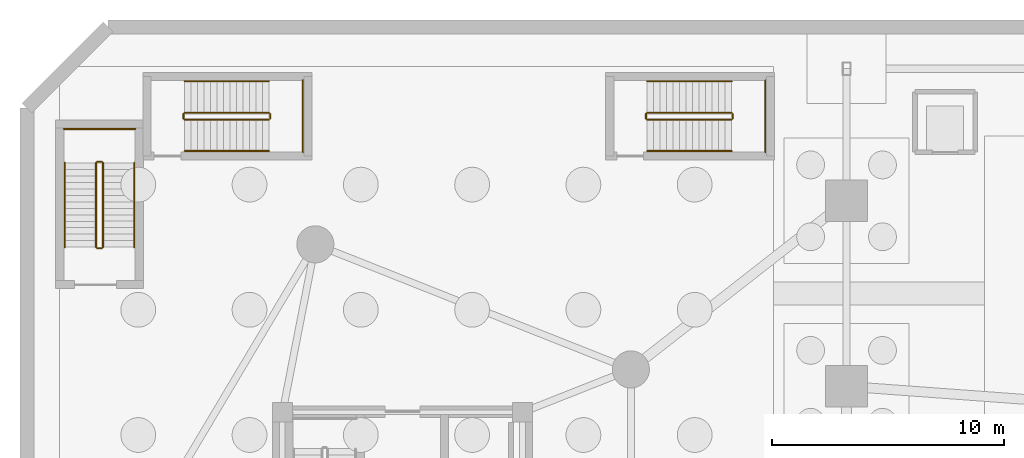
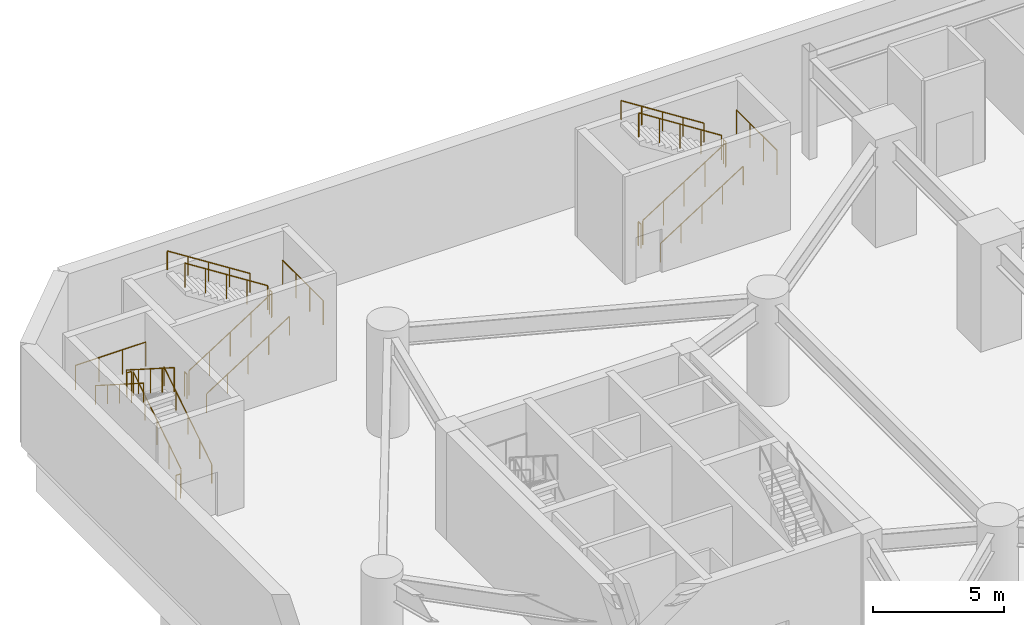
# One storey, part 13 of 15: 21 railings.
"""IFC4 building model written with IfcOpenShell, lengths in metres."""

from ifc_helpers import new_model, si_unit, direction, frame, origin, origin_2d, place, context, subcontext, project, spatial, circle, extrude, material, type_object, element, save


model = new_model("IFC4")

# Units and contexts
model_context = context("Model", 3, precision=1e-05, world=origin(), true_north=direction((0.0, 1.0)))
body_context = subcontext(model_context, "Body", "Model", "MODEL_VIEW")
ifc_project = project(units=[si_unit("LENGTHUNIT", "METRE"), si_unit("AREAUNIT", "SQUARE_METRE"), si_unit("VOLUMEUNIT", "CUBIC_METRE"), si_unit("PLANEANGLEUNIT", "RADIAN"), si_unit("MASSUNIT", "GRAM", prefix="KILO")], contexts=[model_context])

# Site, building, storey
site_placement = place(None, origin())
site = spatial("IfcSite", under=ifc_project, at=site_placement, CompositionType="ELEMENT")
building_placement = place(site_placement, origin())
building = spatial("IfcBuilding", under=site, at=building_placement, Name="Cununo Teusaquillo Station Towers", CompositionType="ELEMENT")
storey_placement = place(building_placement, frame((0.0, 0.0, -10.0)))
storey = spatial("IfcBuildingStorey", under=building, at=storey_placement, Name="B02", CompositionType="ELEMENT", Elevation=-10.0)

# Railings
ifc_material_1 = material(Name="Steel EN 10025-2 S355J2", Category="steel")
railing_type_1 = type_object("IfcRailingType", Name="RL-INT-GUARD", PredefinedType="GUARDRAIL", material=ifc_material_1)
railing_1_placement = place(storey_placement, frame((27.050048828125, 44.0, 0.178466796875)))
element("IfcRailing", 1, at=railing_1_placement, inside=storey, type_object=railing_type_1, Name="B02 ST-POD-N stair guard 1", PredefinedType="GUARDRAIL", context=body_context, shape_type="SweptSolid", body=[
    extrude(circle(Radius=0.02392578125, at=origin_2d()), frame((0.0, 0.0, 1.1259765625), z_axis=(0.843111507901, 0.0, 0.53773877045), x_axis=(0.0, 1.0, 0.0)), (0.0, 0.0, 1.0), 4.317138671875),
    extrude(circle(Radius=0.02099609375, at=origin_2d()), origin(), (0.0, 0.0, 1.0), 1.101806640625),
    extrude(circle(Radius=0.02099609375, at=origin_2d()), frame((0.909912109375, 0.0, 0.580322265625)), (0.0, 0.0, 1.0), 1.101806640625),
    extrude(circle(Radius=0.02099609375, at=origin_2d()), frame((1.81982421875, 0.0, 1.16064453125)), (0.0, 0.0, 1.0), 1.101806640625),
    extrude(circle(Radius=0.02099609375, at=origin_2d()), frame((2.72998046875, 0.0, 1.7412109375)), (0.0, 0.0, 1.0), 1.101806640625),
    extrude(circle(Radius=0.02099609375, at=origin_2d()), frame((3.639892578125, 0.0, 2.321533203125)), (0.0, 0.0, 1.0), 1.101806640625),
])
railing_2_placement = place(storey_placement, frame((30.739990234375, 44.050048828125, 2.5)))
element("IfcRailing", 2, at=railing_2_placement, inside=storey, type_object=railing_type_1, Name="B02 ST-POD-N stair guard 2", PredefinedType="GUARDRAIL", context=body_context, shape_type="SweptSolid", body=[
    extrude(circle(Radius=0.02392578125, at=origin_2d()), frame((0.0, 0.0, 1.1259765625), z_axis=(0.0, 1.0, 0.0), x_axis=(-1.0, 0.0, 0.0)), (0.0, 0.0, 1.0), 0.199951171875),
    extrude(circle(Radius=0.02099609375, at=origin_2d()), origin(), (0.0, 0.0, 1.0), 1.101806640625),
    extrude(circle(Radius=0.02099609375, at=origin_2d()), frame((0.0, 0.199951171875, 0.0)), (0.0, 0.0, 1.0), 1.101806640625),
])
railing_3_placement = place(storey_placement, frame((32.14990234375, 42.60009765625, 2.5)))
element("IfcRailing", 3, at=railing_3_placement, inside=storey, type_object=railing_type_1, Name="B02 ST-POD-N stair guard 3", PredefinedType="GUARDRAIL", context=body_context, shape_type="SweptSolid", body=[
    extrude(circle(Radius=0.02392578125, at=origin_2d()), frame((0.0, 0.0, 1.1259765625), z_axis=(0.0, 1.0, 0.0), x_axis=(-1.0, 0.0, 0.0)), (0.0, 0.0, 1.0), 3.099853515625),
    extrude(circle(Radius=0.02099609375, at=origin_2d()), origin(), (0.0, 0.0, 1.0), 1.101806640625),
    extrude(circle(Radius=0.02099609375, at=origin_2d()), frame((0.0, 1.033203125, 0.0)), (0.0, 0.0, 1.0), 1.101806640625),
    extrude(circle(Radius=0.02099609375, at=origin_2d()), frame((0.0, 2.066650390625, 0.0)), (0.0, 0.0, 1.0), 1.101806640625),
    extrude(circle(Radius=0.02099609375, at=origin_2d()), frame((0.0, 3.099853515625, 0.0)), (0.0, 0.0, 1.0), 1.101806640625),
])
railing_4_placement = place(storey_placement, frame((30.68994140625, 44.300048828125, 2.678466796875)))
element("IfcRailing", 4, at=railing_4_placement, inside=storey, type_object=railing_type_1, Name="B02 ST-POD-N stair guard 4", PredefinedType="GUARDRAIL", context=body_context, shape_type="SweptSolid", body=[
    extrude(circle(Radius=0.02392578125, at=origin_2d()), frame((0.0, 0.0, 1.1259765625), z_axis=(-0.843111507901, 0.0, 0.53773877045), x_axis=(0.0, -1.0, 0.0)), (0.0, 0.0, 1.0), 4.317138671875),
    extrude(circle(Radius=0.02099609375, at=origin_2d()), origin(), (0.0, 0.0, 1.0), 1.101806640625),
    extrude(circle(Radius=0.02099609375, at=origin_2d()), frame((-0.909912109375, 0.0, 0.580322265625)), (0.0, 0.0, 1.0), 1.101806640625),
    extrude(circle(Radius=0.02099609375, at=origin_2d()), frame((-1.81982421875, 0.0, 1.16064453125)), (0.0, 0.0, 1.0), 1.101806640625),
    extrude(circle(Radius=0.02099609375, at=origin_2d()), frame((-2.72998046875, 0.0, 1.7412109375)), (0.0, 0.0, 1.0), 1.101806640625),
    extrude(circle(Radius=0.02099609375, at=origin_2d()), frame((-3.639892578125, 0.0, 2.321533203125)), (0.0, 0.0, 1.0), 1.101806640625),
])
railing_5_placement = place(storey_placement, frame((27.0, 44.050048828125, 0.0)))
element("IfcRailing", 5, at=railing_5_placement, inside=storey, type_object=railing_type_1, Name="B02 ST-POD-N stair guard 5", PredefinedType="GUARDRAIL", context=body_context, shape_type="SweptSolid", body=[
    extrude(circle(Radius=0.02392578125, at=origin_2d()), frame((0.0, 0.0, 1.1259765625), z_axis=(0.0, 1.0, 0.0), x_axis=(-1.0, 0.0, 0.0)), (0.0, 0.0, 1.0), 0.199951171875),
    extrude(circle(Radius=0.02099609375, at=origin_2d()), origin(), (0.0, 0.0, 1.0), 1.101806640625),
    extrude(circle(Radius=0.02099609375, at=origin_2d()), frame((0.0, 0.199951171875, 0.0)), (0.0, 0.0, 1.0), 1.101806640625),
])
railing_6_placement = place(storey_placement, frame((3.580078125, 38.5, 0.178466796875)))
element("IfcRailing", 6, at=railing_6_placement, inside=storey, type_object=railing_type_1, Name="B02 ST-POD-W stair guard 1", PredefinedType="GUARDRAIL", context=body_context, shape_type="SweptSolid", body=[
    extrude(circle(Radius=0.02392578125, at=origin_2d()), frame((0.0, 0.0, 1.1259765625), z_axis=(0.0, 0.843111507901, 0.53773877045), x_axis=(-1.0, 0.0, 0.0)), (0.0, 0.0, 1.0), 4.317138671875),
    extrude(circle(Radius=0.02099609375, at=origin_2d()), origin(), (0.0, 0.0, 1.0), 1.101806640625),
    extrude(circle(Radius=0.02099609375, at=origin_2d()), frame((0.0, 0.909912109375, 0.580322265625)), (0.0, 0.0, 1.0), 1.101806640625),
    extrude(circle(Radius=0.02099609375, at=origin_2d()), frame((0.0, 1.81982421875, 1.16064453125)), (0.0, 0.0, 1.0), 1.101806640625),
    extrude(circle(Radius=0.02099609375, at=origin_2d()), frame((0.0, 2.72998046875, 1.7412109375)), (0.0, 0.0, 1.0), 1.101806640625),
    extrude(circle(Radius=0.02099609375, at=origin_2d()), frame((0.0, 3.639892578125, 2.321533203125)), (0.0, 0.0, 1.0), 1.101806640625),
])
railing_7_placement = place(storey_placement, frame((3.530029296875, 42.18994140625, 2.5)))
element("IfcRailing", 7, at=railing_7_placement, inside=storey, type_object=railing_type_1, Name="B02 ST-POD-W stair guard 2", PredefinedType="GUARDRAIL", context=body_context, shape_type="SweptSolid", body=[
    extrude(circle(Radius=0.02392578125, at=origin_2d()), frame((0.0, 0.0, 1.1259765625), z_axis=(-1.0, 0.0, 0.0), x_axis=(0.0, -1.0, 0.0)), (0.0, 0.0, 1.0), 0.199951171875),
    extrude(circle(Radius=0.02099609375, at=origin_2d()), origin(), (0.0, 0.0, 1.0), 1.101806640625),
    extrude(circle(Radius=0.02099609375, at=origin_2d()), frame((-0.199951171875, 0.0, 0.0)), (0.0, 0.0, 1.0), 1.101806640625),
])
railing_8_placement = place(storey_placement, frame((4.97998046875, 43.60009765625, 2.5)))
element("IfcRailing", 8, at=railing_8_placement, inside=storey, type_object=railing_type_1, Name="B02 ST-POD-W stair guard 3", PredefinedType="GUARDRAIL", context=body_context, shape_type="SweptSolid", body=[
    extrude(circle(Radius=0.02392578125, at=origin_2d()), frame((0.0, 0.0, 1.1259765625), z_axis=(-1.0, 0.0, 0.0), x_axis=(0.0, -1.0, 0.0)), (0.0, 0.0, 1.0), 3.10009765625),
    extrude(circle(Radius=0.02099609375, at=origin_2d()), origin(), (0.0, 0.0, 1.0), 1.101806640625),
    extrude(circle(Radius=0.02099609375, at=origin_2d()), frame((-1.033447265625, 0.0, 0.0)), (0.0, 0.0, 1.0), 1.101806640625),
    extrude(circle(Radius=0.02099609375, at=origin_2d()), frame((-2.066650390625, 0.0, 0.0)), (0.0, 0.0, 1.0), 1.101806640625),
    extrude(circle(Radius=0.02099609375, at=origin_2d()), frame((-3.10009765625, 0.0, 0.0)), (0.0, 0.0, 1.0), 1.101806640625),
])
railing_9_placement = place(storey_placement, frame((3.280029296875, 42.139892578125, 2.678466796875)))
element("IfcRailing", 9, at=railing_9_placement, inside=storey, type_object=railing_type_1, Name="B02 ST-POD-W stair guard 4", PredefinedType="GUARDRAIL", context=body_context, shape_type="SweptSolid", body=[
    extrude(circle(Radius=0.02392578125, at=origin_2d()), frame((0.0, 0.0, 1.1259765625), z_axis=(0.0, -0.843111507901, 0.53773877045), x_axis=(1.0, 0.0, 0.0)), (0.0, 0.0, 1.0), 4.317138671875),
    extrude(circle(Radius=0.02099609375, at=origin_2d()), origin(), (0.0, 0.0, 1.0), 1.101806640625),
    extrude(circle(Radius=0.02099609375, at=origin_2d()), frame((0.0, -0.909912109375, 0.580322265625)), (0.0, 0.0, 1.0), 1.101806640625),
    extrude(circle(Radius=0.02099609375, at=origin_2d()), frame((0.0, -1.81982421875, 1.16064453125)), (0.0, 0.0, 1.0), 1.101806640625),
    extrude(circle(Radius=0.02099609375, at=origin_2d()), frame((0.0, -2.72998046875, 1.7412109375)), (0.0, 0.0, 1.0), 1.101806640625),
    extrude(circle(Radius=0.02099609375, at=origin_2d()), frame((0.0, -3.639892578125, 2.321533203125)), (0.0, 0.0, 1.0), 1.101806640625),
])
railing_10_placement = place(storey_placement, frame((3.530029296875, 38.449951171875, 0.0)))
element("IfcRailing", 10, at=railing_10_placement, inside=storey, type_object=railing_type_1, Name="B02 ST-POD-W stair guard 5", PredefinedType="GUARDRAIL", context=body_context, shape_type="SweptSolid", body=[
    extrude(circle(Radius=0.02392578125, at=origin_2d()), frame((0.0, 0.0, 1.1259765625), z_axis=(-1.0, 0.0, 0.0), x_axis=(0.0, -1.0, 0.0)), (0.0, 0.0, 1.0), 0.199951171875),
    extrude(circle(Radius=0.02099609375, at=origin_2d()), origin(), (0.0, 0.0, 1.0), 1.101806640625),
    extrude(circle(Radius=0.02099609375, at=origin_2d()), frame((-0.199951171875, 0.0, 0.0)), (0.0, 0.0, 1.0), 1.101806640625),
])
railing_11_placement = place(storey_placement, frame((7.10009765625, 44.0, 0.178466796875)))
element("IfcRailing", 11, at=railing_11_placement, inside=storey, type_object=railing_type_1, Name="B02 ST-POD-C stair guard 1", PredefinedType="GUARDRAIL", context=body_context, shape_type="SweptSolid", body=[
    extrude(circle(Radius=0.02392578125, at=origin_2d()), frame((0.0, 0.0, 1.1259765625), z_axis=(0.843111507901, 0.0, 0.53773877045), x_axis=(0.0, 1.0, 0.0)), (0.0, 0.0, 1.0), 4.317138671875),
    extrude(circle(Radius=0.02099609375, at=origin_2d()), origin(), (0.0, 0.0, 1.0), 1.101806640625),
    extrude(circle(Radius=0.02099609375, at=origin_2d()), frame((0.909912109375, 0.0, 0.580322265625)), (0.0, 0.0, 1.0), 1.101806640625),
    extrude(circle(Radius=0.02099609375, at=origin_2d()), frame((1.81982421875, 0.0, 1.16064453125)), (0.0, 0.0, 1.0), 1.101806640625),
    extrude(circle(Radius=0.02099609375, at=origin_2d()), frame((2.72998046875, 0.0, 1.7412109375)), (0.0, 0.0, 1.0), 1.101806640625),
    extrude(circle(Radius=0.02099609375, at=origin_2d()), frame((3.639892578125, 0.0, 2.321533203125)), (0.0, 0.0, 1.0), 1.101806640625),
])
railing_12_placement = place(storey_placement, frame((10.7900390625, 44.050048828125, 2.5)))
element("IfcRailing", 12, at=railing_12_placement, inside=storey, type_object=railing_type_1, Name="B02 ST-POD-C stair guard 2", PredefinedType="GUARDRAIL", context=body_context, shape_type="SweptSolid", body=[
    extrude(circle(Radius=0.02392578125, at=origin_2d()), frame((0.0, 0.0, 1.1259765625), z_axis=(0.0, 1.0, 0.0), x_axis=(-1.0, 0.0, 0.0)), (0.0, 0.0, 1.0), 0.199951171875),
    extrude(circle(Radius=0.02099609375, at=origin_2d()), origin(), (0.0, 0.0, 1.0), 1.101806640625),
    extrude(circle(Radius=0.02099609375, at=origin_2d()), frame((0.0, 0.199951171875, 0.0)), (0.0, 0.0, 1.0), 1.101806640625),
])
railing_13_placement = place(storey_placement, frame((12.199951171875, 42.60009765625, 2.5)))
element("IfcRailing", 13, at=railing_13_placement, inside=storey, type_object=railing_type_1, Name="B02 ST-POD-C stair guard 3", PredefinedType="GUARDRAIL", context=body_context, shape_type="SweptSolid", body=[
    extrude(circle(Radius=0.02392578125, at=origin_2d()), frame((0.0, 0.0, 1.1259765625), z_axis=(0.0, 1.0, 0.0), x_axis=(-1.0, 0.0, 0.0)), (0.0, 0.0, 1.0), 3.099853515625),
    extrude(circle(Radius=0.02099609375, at=origin_2d()), origin(), (0.0, 0.0, 1.0), 1.101806640625),
    extrude(circle(Radius=0.02099609375, at=origin_2d()), frame((0.0, 1.033203125, 0.0)), (0.0, 0.0, 1.0), 1.101806640625),
    extrude(circle(Radius=0.02099609375, at=origin_2d()), frame((0.0, 2.066650390625, 0.0)), (0.0, 0.0, 1.0), 1.101806640625),
    extrude(circle(Radius=0.02099609375, at=origin_2d()), frame((0.0, 3.099853515625, 0.0)), (0.0, 0.0, 1.0), 1.101806640625),
])
railing_14_placement = place(storey_placement, frame((10.739990234375, 44.300048828125, 2.678466796875)))
element("IfcRailing", 14, at=railing_14_placement, inside=storey, type_object=railing_type_1, Name="B02 ST-POD-C stair guard 4", PredefinedType="GUARDRAIL", context=body_context, shape_type="SweptSolid", body=[
    extrude(circle(Radius=0.02392578125, at=origin_2d()), frame((0.0, 0.0, 1.1259765625), z_axis=(-0.843111507901, 0.0, 0.53773877045), x_axis=(0.0, -1.0, 0.0)), (0.0, 0.0, 1.0), 4.317138671875),
    extrude(circle(Radius=0.02099609375, at=origin_2d()), origin(), (0.0, 0.0, 1.0), 1.101806640625),
    extrude(circle(Radius=0.02099609375, at=origin_2d()), frame((-0.909912109375, 0.0, 0.580322265625)), (0.0, 0.0, 1.0), 1.101806640625),
    extrude(circle(Radius=0.02099609375, at=origin_2d()), frame((-1.81982421875, 0.0, 1.16064453125)), (0.0, 0.0, 1.0), 1.101806640625),
    extrude(circle(Radius=0.02099609375, at=origin_2d()), frame((-2.72998046875, 0.0, 1.7412109375)), (0.0, 0.0, 1.0), 1.101806640625),
    extrude(circle(Radius=0.02099609375, at=origin_2d()), frame((-3.639892578125, 0.0, 2.321533203125)), (0.0, 0.0, 1.0), 1.101806640625),
])
railing_15_placement = place(storey_placement, frame((7.050048828125, 44.050048828125, 0.0)))
element("IfcRailing", 15, at=railing_15_placement, inside=storey, type_object=railing_type_1, Name="B02 ST-POD-C stair guard 5", PredefinedType="GUARDRAIL", context=body_context, shape_type="SweptSolid", body=[
    extrude(circle(Radius=0.02392578125, at=origin_2d()), frame((0.0, 0.0, 1.1259765625), z_axis=(0.0, 1.0, 0.0), x_axis=(-1.0, 0.0, 0.0)), (0.0, 0.0, 1.0), 0.199951171875),
    extrude(circle(Radius=0.02099609375, at=origin_2d()), origin(), (0.0, 0.0, 1.0), 1.101806640625),
    extrude(circle(Radius=0.02099609375, at=origin_2d()), frame((0.0, 0.199951171875, 0.0)), (0.0, 0.0, 1.0), 1.101806640625),
])
ifc_material_2 = material(Name="Steel EN 10025-2 S355J2", Category="steel")
railing_type_2 = type_object("IfcRailingType", Name="RL-INT-HRAIL", PredefinedType="HANDRAIL", material=ifc_material_2)
railing_16_placement = place(storey_placement, frame((27.050048828125, 42.64990234375, 0.178466796875)))
element("IfcRailing", 16, at=railing_16_placement, inside=storey, type_object=railing_type_2, Name="B02 ST-POD-N stair handrail 1", PredefinedType="HANDRAIL", context=body_context, shape_type="SweptSolid", body=[
    extrude(circle(Radius=0.02392578125, at=origin_2d()), frame((0.0, 0.0, 0.8759765625), z_axis=(0.843111507901, 0.0, 0.53773877045), x_axis=(0.0, 1.0, 0.0)), (0.0, 0.0, 1.0), 4.317138671875),
    extrude(circle(Radius=0.02099609375, at=origin_2d()), origin(), (0.0, 0.0, 1.0), 0.851806640625),
    extrude(circle(Radius=0.02099609375, at=origin_2d()), frame((0.909912109375, 0.0, 0.580322265625)), (0.0, 0.0, 1.0), 0.851806640625),
    extrude(circle(Radius=0.02099609375, at=origin_2d()), frame((1.81982421875, 0.0, 1.16064453125)), (0.0, 0.0, 1.0), 0.851806640625),
    extrude(circle(Radius=0.02099609375, at=origin_2d()), frame((2.72998046875, 0.0, 1.7412109375)), (0.0, 0.0, 1.0), 0.851806640625),
    extrude(circle(Radius=0.02099609375, at=origin_2d()), frame((3.639892578125, 0.0, 2.321533203125)), (0.0, 0.0, 1.0), 0.851806640625),
])
railing_17_placement = place(storey_placement, frame((30.68994140625, 45.64990234375, 2.678466796875)))
element("IfcRailing", 17, at=railing_17_placement, inside=storey, type_object=railing_type_2, Name="B02 ST-POD-N stair handrail 2", PredefinedType="HANDRAIL", context=body_context, shape_type="SweptSolid", body=[
    extrude(circle(Radius=0.02392578125, at=origin_2d()), frame((0.0, 0.0, 0.8759765625), z_axis=(-0.843111507901, 0.0, 0.53773877045), x_axis=(0.0, -1.0, 0.0)), (0.0, 0.0, 1.0), 4.317138671875),
    extrude(circle(Radius=0.02099609375, at=origin_2d()), origin(), (0.0, 0.0, 1.0), 0.851806640625),
    extrude(circle(Radius=0.02099609375, at=origin_2d()), frame((-0.909912109375, 0.0, 0.580322265625)), (0.0, 0.0, 1.0), 0.851806640625),
    extrude(circle(Radius=0.02099609375, at=origin_2d()), frame((-1.81982421875, 0.0, 1.16064453125)), (0.0, 0.0, 1.0), 0.851806640625),
    extrude(circle(Radius=0.02099609375, at=origin_2d()), frame((-2.72998046875, 0.0, 1.7412109375)), (0.0, 0.0, 1.0), 0.851806640625),
    extrude(circle(Radius=0.02099609375, at=origin_2d()), frame((-3.639892578125, 0.0, 2.321533203125)), (0.0, 0.0, 1.0), 0.851806640625),
])
railing_18_placement = place(storey_placement, frame((4.929931640625, 38.5, 0.178466796875)))
element("IfcRailing", 18, at=railing_18_placement, inside=storey, type_object=railing_type_2, Name="B02 ST-POD-W stair handrail 1", PredefinedType="HANDRAIL", context=body_context, shape_type="SweptSolid", body=[
    extrude(circle(Radius=0.02392578125, at=origin_2d()), frame((0.0, 0.0, 0.8759765625), z_axis=(0.0, 0.843111507901, 0.53773877045), x_axis=(-1.0, 0.0, 0.0)), (0.0, 0.0, 1.0), 4.317138671875),
    extrude(circle(Radius=0.02099609375, at=origin_2d()), origin(), (0.0, 0.0, 1.0), 0.851806640625),
    extrude(circle(Radius=0.02099609375, at=origin_2d()), frame((0.0, 0.909912109375, 0.580322265625)), (0.0, 0.0, 1.0), 0.851806640625),
    extrude(circle(Radius=0.02099609375, at=origin_2d()), frame((0.0, 1.81982421875, 1.16064453125)), (0.0, 0.0, 1.0), 0.851806640625),
    extrude(circle(Radius=0.02099609375, at=origin_2d()), frame((0.0, 2.72998046875, 1.7412109375)), (0.0, 0.0, 1.0), 0.851806640625),
    extrude(circle(Radius=0.02099609375, at=origin_2d()), frame((0.0, 3.639892578125, 2.321533203125)), (0.0, 0.0, 1.0), 0.851806640625),
])
railing_19_placement = place(storey_placement, frame((1.929931640625, 42.139892578125, 2.678466796875)))
element("IfcRailing", 19, at=railing_19_placement, inside=storey, type_object=railing_type_2, Name="B02 ST-POD-W stair handrail 2", PredefinedType="HANDRAIL", context=body_context, shape_type="SweptSolid", body=[
    extrude(circle(Radius=0.02392578125, at=origin_2d()), frame((0.0, 0.0, 0.8759765625), z_axis=(0.0, -0.843111507901, 0.53773877045), x_axis=(1.0, 0.0, 0.0)), (0.0, 0.0, 1.0), 4.317138671875),
    extrude(circle(Radius=0.02099609375, at=origin_2d()), origin(), (0.0, 0.0, 1.0), 0.851806640625),
    extrude(circle(Radius=0.02099609375, at=origin_2d()), frame((0.0, -0.909912109375, 0.580322265625)), (0.0, 0.0, 1.0), 0.851806640625),
    extrude(circle(Radius=0.02099609375, at=origin_2d()), frame((0.0, -1.81982421875, 1.16064453125)), (0.0, 0.0, 1.0), 0.851806640625),
    extrude(circle(Radius=0.02099609375, at=origin_2d()), frame((0.0, -2.72998046875, 1.7412109375)), (0.0, 0.0, 1.0), 0.851806640625),
    extrude(circle(Radius=0.02099609375, at=origin_2d()), frame((0.0, -3.639892578125, 2.321533203125)), (0.0, 0.0, 1.0), 0.851806640625),
])
railing_20_placement = place(storey_placement, frame((7.10009765625, 42.64990234375, 0.178466796875)))
element("IfcRailing", 20, at=railing_20_placement, inside=storey, type_object=railing_type_2, Name="B02 ST-POD-C stair handrail 1", PredefinedType="HANDRAIL", context=body_context, shape_type="SweptSolid", body=[
    extrude(circle(Radius=0.02392578125, at=origin_2d()), frame((0.0, 0.0, 0.8759765625), z_axis=(0.843111507901, 0.0, 0.53773877045), x_axis=(0.0, 1.0, 0.0)), (0.0, 0.0, 1.0), 4.317138671875),
    extrude(circle(Radius=0.02099609375, at=origin_2d()), origin(), (0.0, 0.0, 1.0), 0.851806640625),
    extrude(circle(Radius=0.02099609375, at=origin_2d()), frame((0.909912109375, 0.0, 0.580322265625)), (0.0, 0.0, 1.0), 0.851806640625),
    extrude(circle(Radius=0.02099609375, at=origin_2d()), frame((1.81982421875, 0.0, 1.16064453125)), (0.0, 0.0, 1.0), 0.851806640625),
    extrude(circle(Radius=0.02099609375, at=origin_2d()), frame((2.72998046875, 0.0, 1.7412109375)), (0.0, 0.0, 1.0), 0.851806640625),
    extrude(circle(Radius=0.02099609375, at=origin_2d()), frame((3.639892578125, 0.0, 2.321533203125)), (0.0, 0.0, 1.0), 0.851806640625),
])
railing_21_placement = place(storey_placement, frame((10.739990234375, 45.64990234375, 2.678466796875)))
element("IfcRailing", 21, at=railing_21_placement, inside=storey, type_object=railing_type_2, Name="B02 ST-POD-C stair handrail 2", PredefinedType="HANDRAIL", context=body_context, shape_type="SweptSolid", body=[
    extrude(circle(Radius=0.02392578125, at=origin_2d()), frame((0.0, 0.0, 0.8759765625), z_axis=(-0.843111507901, 0.0, 0.53773877045), x_axis=(0.0, -1.0, 0.0)), (0.0, 0.0, 1.0), 4.317138671875),
    extrude(circle(Radius=0.02099609375, at=origin_2d()), origin(), (0.0, 0.0, 1.0), 0.851806640625),
    extrude(circle(Radius=0.02099609375, at=origin_2d()), frame((-0.909912109375, 0.0, 0.580322265625)), (0.0, 0.0, 1.0), 0.851806640625),
    extrude(circle(Radius=0.02099609375, at=origin_2d()), frame((-1.81982421875, 0.0, 1.16064453125)), (0.0, 0.0, 1.0), 0.851806640625),
    extrude(circle(Radius=0.02099609375, at=origin_2d()), frame((-2.72998046875, 0.0, 1.7412109375)), (0.0, 0.0, 1.0), 0.851806640625),
    extrude(circle(Radius=0.02099609375, at=origin_2d()), frame((-3.639892578125, 0.0, 2.321533203125)), (0.0, 0.0, 1.0), 0.851806640625),
])

save(model, "model.ifc")
